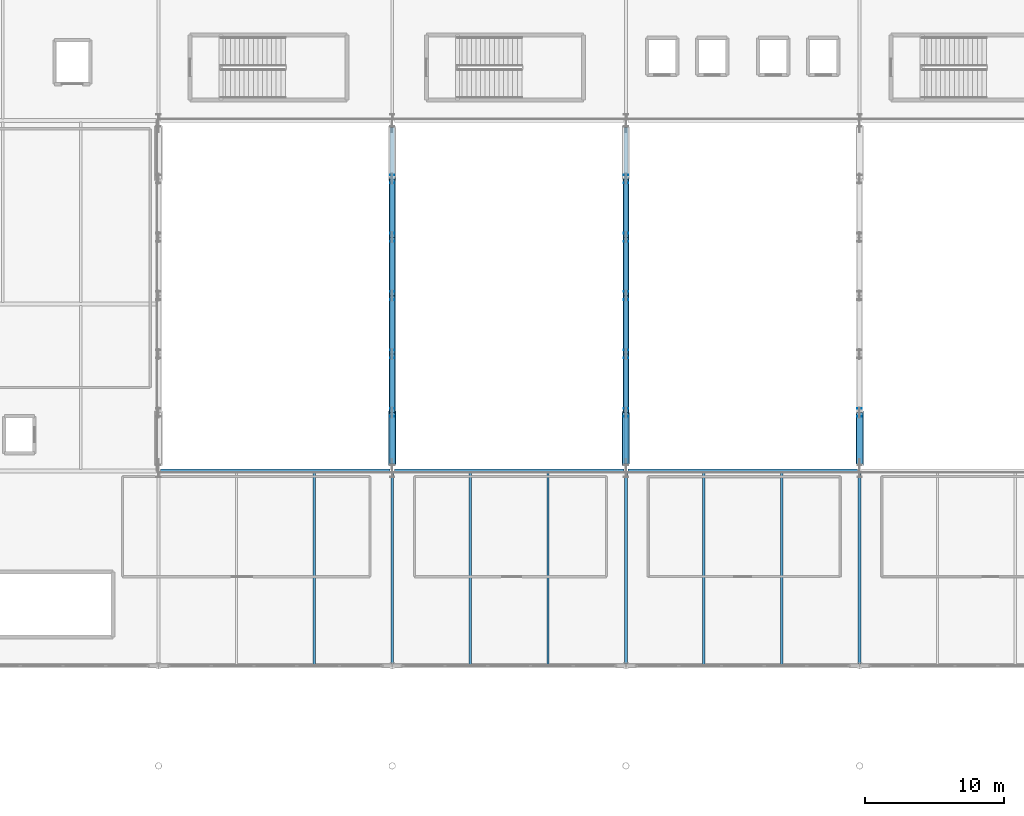
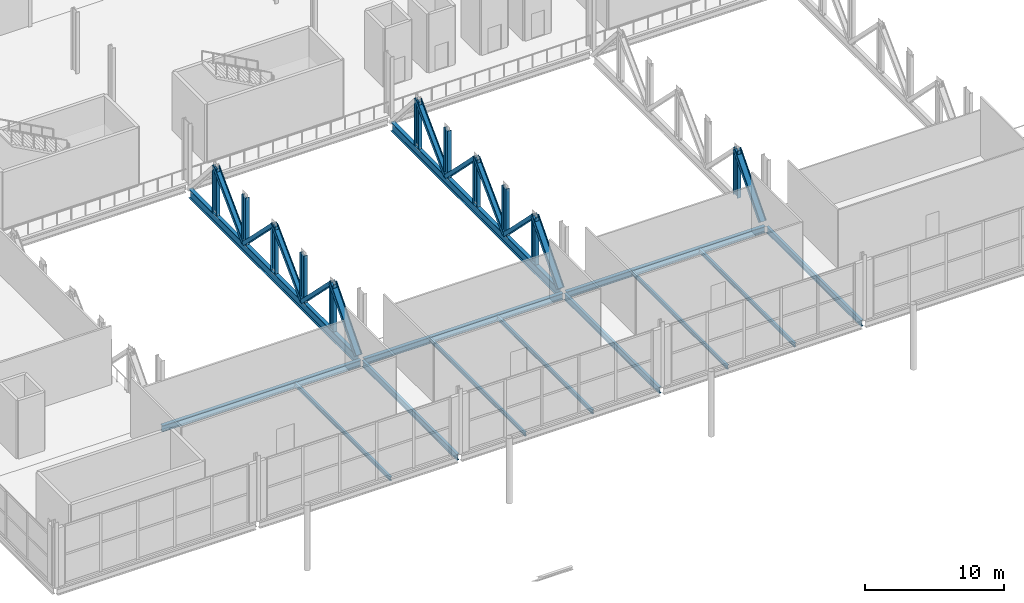
# One storey, part 24 of 84: 22 members, 13 beams.
"""IFC4 building model written with IfcOpenShell, lengths in metres."""

from ifc_helpers import new_model, si_unit, direction, frame, origin, origin_2d, place, context, subcontext, project, spatial, i_section, extrude, material, material_profile, profile_set, type_object, element, save


model = new_model("IFC4")

# Units and contexts
model_context = context("Model", 3, precision=1e-05, world=origin(), true_north=direction((0.0, 1.0)))
body_context = subcontext(model_context, "Body", "Model", "MODEL_VIEW")
ifc_project = project(units=[si_unit("LENGTHUNIT", "METRE"), si_unit("AREAUNIT", "SQUARE_METRE"), si_unit("VOLUMEUNIT", "CUBIC_METRE"), si_unit("PLANEANGLEUNIT", "RADIAN"), si_unit("MASSUNIT", "GRAM", prefix="KILO")], contexts=[model_context])

# Site, building, storey
site_placement = place(None, origin())
site = spatial("IfcSite", under=ifc_project, at=site_placement, CompositionType="ELEMENT")
building_placement = place(site_placement, origin())
building = spatial("IfcBuilding", under=site, at=building_placement, Name="Kimbaza Rail Terminus", CompositionType="ELEMENT")
storey_placement = place(building_placement, frame((0.0, 0.0, 5.39990234375)))
storey = spatial("IfcBuildingStorey", under=building, at=storey_placement, Name="L01", CompositionType="ELEMENT", Elevation=5.39990234375)

# Beams
ifc_material_1 = material(Name="Steel S355", Category="steel")
ifc_material_profile_1 = material_profile(ifc_material_1, i_section(OverallWidth=0.300048828125, OverallDepth=0.550048828125, WebThickness=0.014892578125, FlangeThickness=0.029052734375, FilletRadius=0.027099609375, at=origin_2d()), Name="HEB 550")
ifc_profile_set_1 = profile_set([ifc_material_profile_1], Name="Steel S355")
beam_type_1 = type_object("IfcBeamType", Name="STR-BM-HEB550", PredefinedType="BEAM", material=ifc_profile_set_1)
for number, where, z_axis, x_axis, name in (
    (1, (72.14599609375, 55.0, -0.494873046875), (1.0, 0.0, 0.0), (0.0, 1.0, 0.0), "Beam BM-V2X-L01-55-2"),
    (2, (88.946044921875, 55.0, -0.494873046875), (1.0, 0.0, 0.0), (0.0, 1.0, 0.0), "Beam BM-V2X-L01-55-3"),
):
    element("IfcBeam", number, at=place(storey_placement, frame(where, z_axis=z_axis, x_axis=x_axis)), inside=storey, type_object=beam_type_1, Name=name, PredefinedType="BEAM", context=body_context, shape_type="SweptSolid", body=[
        extrude(i_section(OverallWidth=0.300048828125, OverallDepth=0.550048828125, WebThickness=0.014892578125, FlangeThickness=0.029052734375, FilletRadius=0.027099609375, at=origin_2d()), origin(), (0.0, 0.0, 1.0), 16.508056640625),
    ])
beam_placement = place(storey_placement, frame((105.74609375, 55.0, -0.494873046875), z_axis=(1.0, 0.0, 0.0), x_axis=(0.0, 1.0, 0.0)))
element("IfcBeam", 3, at=beam_placement, inside=storey, type_object=beam_type_1, Name="Beam BM-V2X-L01-55-4", PredefinedType="BEAM", context=body_context, shape_type="SweptSolid", body=[
    extrude(i_section(OverallWidth=0.300048828125, OverallDepth=0.550048828125, WebThickness=0.014892578125, FlangeThickness=0.029052734375, FilletRadius=0.027099609375, at=origin_2d()), origin(), (0.0, 0.0, 1.0), 16.5078125),
])
ifc_material_2 = material(Name="Steel S355", Category="steel")
ifc_material_profile_2 = material_profile(ifc_material_2, i_section(OverallWidth=0.302978515625, OverallDepth=0.81396484375, WebThickness=0.02099609375, FlangeThickness=0.0400390625, FilletRadius=0.030029296875, at=origin_2d()), Name="HEM 800")
ifc_profile_set_2 = profile_set([ifc_material_profile_2], Name="Steel S355")
beam_type_2 = type_object("IfcBeamType", Name="STR-BM-HEM800", PredefinedType="USERDEFINED", material=ifc_profile_set_2)
for number, where, z_axis, x_axis, name in (
    (4, (88.800048828125, 55.498046875, -0.626953125), (0.0, 1.0, 0.0), (-1.0, 0.0, 0.0), "Warren Transfer Truss WT-02 Bottom Chord"),
    (5, (105.60009765625, 55.498046875, -0.626953125), (0.0, 1.0, 0.0), (-1.0, 0.0, 0.0), "Warren Transfer Truss WT-03 Bottom Chord"),
):
    element("IfcBeam", number, at=place(storey_placement, frame(where, z_axis=z_axis, x_axis=x_axis)), inside=storey, type_object=beam_type_2, Name=name, ObjectType="GIRDER", PredefinedType="USERDEFINED", context=body_context, shape_type="SweptSolid", body=[
        extrude(i_section(OverallWidth=0.302978515625, OverallDepth=0.81396484375, WebThickness=0.02099609375, FlangeThickness=0.0400390625, FilletRadius=0.030029296875, at=origin_2d()), origin(), (0.0, 0.0, 1.0), 24.203857421875),
    ])
ifc_material_3 = material(Name="Steel S355", Category="steel")
ifc_material_profile_3 = material_profile(ifc_material_3, i_section(OverallWidth=0.169921875, OverallDepth=0.360107421875, WebThickness=0.008056640625, FlangeThickness=0.0126953125, FilletRadius=0.01806640625, at=origin_2d()), Name="IPE 360")
ifc_profile_set_3 = profile_set([ifc_material_profile_3], Name="Steel S355")
beam_type_3 = type_object("IfcBeamType", Name="STR-BM-IPE360", PredefinedType="JOIST", material=ifc_profile_set_3)
for number, where, z_axis, x_axis, name in (
    (6, (83.199951171875, 41.10009765625, -0.39990234375), (0.0, 1.0, 0.0), (-1.0, 0.0, 0.0), "Beam JST-V2-L01-1-2-41"),
    (7, (94.39990234375, 41.10009765625, -0.39990234375), (0.0, 1.0, 0.0), (-1.0, 0.0, 0.0), "Beam JST-V2-L01-2-1-41"),
    (8, (100.0, 41.10009765625, -0.39990234375), (0.0, 1.0, 0.0), (-1.0, 0.0, 0.0), "Beam JST-V2-L01-2-2-41"),
    (9, (111.199951171875, 41.10009765625, -0.39990234375), (0.0, 1.0, 0.0), (-1.0, 0.0, 0.0), "Beam JST-V2-L01-3-1-41"),
    (10, (116.800048828125, 41.10009765625, -0.39990234375), (0.0, 1.0, 0.0), (-1.0, 0.0, 0.0), "Beam JST-V2-L01-3-2-41"),
):
    element("IfcBeam", number, at=place(storey_placement, frame(where, z_axis=z_axis, x_axis=x_axis)), inside=storey, type_object=beam_type_3, Name=name, PredefinedType="JOIST", context=body_context, shape_type="SweptSolid", body=[
        extrude(i_section(OverallWidth=0.169921875, OverallDepth=0.360107421875, WebThickness=0.008056640625, FlangeThickness=0.0126953125, FilletRadius=0.01806640625, at=origin_2d()), origin(), (0.0, 0.0, 1.0), 13.7998046875),
    ])
ifc_material_4 = material(Name="Steel S355", Category="steel")
ifc_material_profile_4 = material_profile(ifc_material_4, i_section(OverallWidth=0.2099609375, OverallDepth=0.550048828125, WebThickness=0.010986328125, FlangeThickness=0.01708984375, FilletRadius=0.02392578125, at=origin_2d()), Name="IPE 550")
ifc_profile_set_4 = profile_set([ifc_material_profile_4], Name="Steel S355")
beam_type_4 = type_object("IfcBeamType", Name="STR-BM-IPE550", PredefinedType="BEAM", material=ifc_profile_set_4)
for number, where, z_axis, x_axis, name in (
    (11, (88.800048828125, 41.175048828125, -0.494873046875), (0.0, 1.0, 0.0), (-1.0, 0.0, 0.0), "Beam BM-V2Y-L01-2-41"),
    (12, (105.60009765625, 41.175048828125, -0.494873046875), (0.0, 1.0, 0.0), (-1.0, 0.0, 0.0), "Beam BM-V2Y-L01-3-41"),
    (13, (122.39990234375, 41.175048828125, -0.494873046875), (0.0, 1.0, 0.0), (-1.0, 0.0, 0.0), "Beam BM-V2Y-L01-4-41"),
):
    element("IfcBeam", number, at=place(storey_placement, frame(where, z_axis=z_axis, x_axis=x_axis)), inside=storey, type_object=beam_type_4, Name=name, PredefinedType="BEAM", context=body_context, shape_type="SweptSolid", body=[
        extrude(i_section(OverallWidth=0.2099609375, OverallDepth=0.550048828125, WebThickness=0.010986328125, FlangeThickness=0.01708984375, FilletRadius=0.02392578125, at=origin_2d()), origin(), (0.0, 0.0, 1.0), 13.64990234375),
    ])

# Members
ifc_material_5 = material(Name="Steel S355", Category="steel")
ifc_material_profile_5 = material_profile(ifc_material_5, i_section(OverallWidth=0.300048828125, OverallDepth=0.449951171875, WebThickness=0.013916015625, FlangeThickness=0.02587890625, FilletRadius=0.027099609375, at=origin_2d()), Name="HEB 450")
ifc_profile_set_5 = profile_set([ifc_material_profile_5], Name="Steel S355")
member_type_1 = type_object("IfcMemberType", Name="STR-MB-HEB450", PredefinedType="BRACE", material=ifc_profile_set_5)
member_1_placement = place(storey_placement, frame((88.800048828125, 59.199951171875, 3.955078125), z_axis=(0.0, 0.706942385545, -0.707271138616), x_axis=(0.0, 0.707271138616, 0.706942385545)))
element("IfcMember", 14, at=member_1_placement, inside=storey, type_object=member_type_1, Name="Warren Transfer Truss Diagonal WT-02-2", PredefinedType="BRACE", context=body_context, shape_type="SweptSolid", body=[
    extrude(i_section(OverallWidth=0.300048828125, OverallDepth=0.449951171875, WebThickness=0.013916015625, FlangeThickness=0.02587890625, FilletRadius=0.027099609375, at=origin_2d()), origin(), (0.0, 0.0, 1.0), 5.94091796875),
])
member_2_placement = place(storey_placement, frame((88.800048828125, 63.39990234375, -0.246826171875), z_axis=(0.0, 0.706962941269, 0.70725059185), x_axis=(0.0, -0.70725059185, 0.706962941269)))
element("IfcMember", 15, at=member_2_placement, inside=storey, type_object=member_type_1, Name="Warren Transfer Truss Diagonal WT-02-3", PredefinedType="BRACE", context=body_context, shape_type="SweptSolid", body=[
    extrude(i_section(OverallWidth=0.300048828125, OverallDepth=0.449951171875, WebThickness=0.013916015625, FlangeThickness=0.02587890625, FilletRadius=0.027099609375, at=origin_2d()), origin(), (0.0, 0.0, 1.0), 5.941162109375),
])
for number, where, z_axis, x_axis, name in (
    (16, (88.800048828125, 67.60009765625, 3.955078125), (0.0, 0.706942385545, -0.707271138616), (0.0, 0.707271138616, 0.706942385545), "Warren Transfer Truss Diagonal WT-02-4"),
    (17, (88.800048828125, 71.800048828125, -0.246826171875), (0.0, 0.706942385545, 0.707271138616), (0.0, -0.707271138616, 0.706942385545), "Warren Transfer Truss Diagonal WT-02-5"),
    (18, (105.60009765625, 59.199951171875, 3.955078125), (0.0, 0.706942385545, -0.707271138616), (0.0, 0.707271138616, 0.706942385545), "Warren Transfer Truss Diagonal WT-03-2"),
):
    element("IfcMember", number, at=place(storey_placement, frame(where, z_axis=z_axis, x_axis=x_axis)), inside=storey, type_object=member_type_1, Name=name, PredefinedType="BRACE", context=body_context, shape_type="SweptSolid", body=[
        extrude(i_section(OverallWidth=0.300048828125, OverallDepth=0.449951171875, WebThickness=0.013916015625, FlangeThickness=0.02587890625, FilletRadius=0.027099609375, at=origin_2d()), origin(), (0.0, 0.0, 1.0), 5.94091796875),
    ])
member_3_placement = place(storey_placement, frame((105.60009765625, 63.39990234375, -0.246826171875), z_axis=(0.0, 0.706962941269, 0.70725059185), x_axis=(0.0, -0.70725059185, 0.706962941269)))
element("IfcMember", 19, at=member_3_placement, inside=storey, type_object=member_type_1, Name="Warren Transfer Truss Diagonal WT-03-3", PredefinedType="BRACE", context=body_context, shape_type="SweptSolid", body=[
    extrude(i_section(OverallWidth=0.300048828125, OverallDepth=0.449951171875, WebThickness=0.013916015625, FlangeThickness=0.02587890625, FilletRadius=0.027099609375, at=origin_2d()), origin(), (0.0, 0.0, 1.0), 5.941162109375),
])
for number, where, z_axis, x_axis, name in (
    (20, (105.60009765625, 67.60009765625, 3.955078125), (0.0, 0.706942385545, -0.707271138616), (0.0, 0.707271138616, 0.706942385545), "Warren Transfer Truss Diagonal WT-03-4"),
    (21, (105.60009765625, 71.800048828125, -0.246826171875), (0.0, 0.706942385545, 0.707271138616), (0.0, -0.707271138616, 0.706942385545), "Warren Transfer Truss Diagonal WT-03-5"),
):
    element("IfcMember", number, at=place(storey_placement, frame(where, z_axis=z_axis, x_axis=x_axis)), inside=storey, type_object=member_type_1, Name=name, PredefinedType="BRACE", context=body_context, shape_type="SweptSolid", body=[
        extrude(i_section(OverallWidth=0.300048828125, OverallDepth=0.449951171875, WebThickness=0.013916015625, FlangeThickness=0.02587890625, FilletRadius=0.027099609375, at=origin_2d()), origin(), (0.0, 0.0, 1.0), 5.94091796875),
    ])
ifc_material_6 = material(Name="Steel S355", Category="steel")
ifc_material_profile_6 = material_profile(ifc_material_6, i_section(OverallWidth=0.300048828125, OverallDepth=0.550048828125, WebThickness=0.014892578125, FlangeThickness=0.029052734375, FilletRadius=0.027099609375, at=origin_2d()), Name="HEB 550")
ifc_profile_set_6 = profile_set([ifc_material_profile_6], Name="Steel S355")
member_type_2 = type_object("IfcMemberType", Name="STR-MB-HEB550", PredefinedType="BRACE", material=ifc_profile_set_6)
for number, where, z_axis, x_axis, name in (
    (22, (88.800048828125, 55.5, -0.246826171875), (0.0, 0.660856906539, 0.750511924675), (0.0, -0.750511924675, 0.660856906539), "Warren Transfer Truss Diagonal WT-02-1"),
    (23, (105.60009765625, 55.5, -0.246826171875), (0.0, 0.660856906539, 0.750511924675), (0.0, -0.750511924675, 0.660856906539), "Warren Transfer Truss Diagonal WT-03-1"),
    (24, (122.39990234375, 55.5, -0.246826171875), (0.0, 0.660856906539, 0.750511924675), (0.0, -0.750511924675, 0.660856906539), "Warren Transfer Truss Diagonal WT-04-1"),
):
    element("IfcMember", number, at=place(storey_placement, frame(where, z_axis=z_axis, x_axis=x_axis)), inside=storey, type_object=member_type_2, Name=name, PredefinedType="BRACE", context=body_context, shape_type="SweptSolid", body=[
        extrude(i_section(OverallWidth=0.300048828125, OverallDepth=0.550048828125, WebThickness=0.014892578125, FlangeThickness=0.029052734375, FilletRadius=0.027099609375, at=origin_2d()), origin(), (0.0, 0.0, 1.0), 5.5986328125),
    ])
ifc_material_7 = material(Name="Steel S355", Category="steel")
ifc_material_profile_7 = material_profile(ifc_material_7, i_section(OverallWidth=0.304931640625, OverallDepth=0.6201171875, WebThickness=0.02099609375, FlangeThickness=0.0400390625, FilletRadius=0.027099609375, at=origin_2d()), Name="HEM 600")
ifc_profile_set_7 = profile_set([ifc_material_profile_7], Name="Steel S355")
member_type_3 = type_object("IfcMemberType", Name="STR-MB-HEM600", PredefinedType="POST", material=ifc_profile_set_7)
for number, where, z_axis, x_axis, name in (
    (25, (88.800048828125, 59.199951171875, -0.226806640625), (0.0, 0.0, 1.0), (1.0, 0.0, 0.0), "Warren Truss WT-02 Vertical Post 1"),
    (26, (88.800048828125, 63.39990234375, -0.226806640625), (0.0, 0.0, 1.0), (1.0, 0.0, 0.0), "Warren Truss WT-02 Vertical Post 2"),
    (27, (88.800048828125, 67.60009765625, -0.226806640625), (0.0, 0.0, 1.0), (1.0, 0.0, 0.0), "Warren Truss WT-02 Vertical Post 3"),
    (28, (88.800048828125, 71.800048828125, -0.226806640625), (0.0, 0.0, 1.0), (1.0, 0.0, 0.0), "Warren Truss WT-02 Vertical Post 4"),
    (29, (88.800048828125, 76.0, -0.226806640625), (0.0, 0.0, 1.0), (1.0, 0.0, 0.0), "Warren Truss WT-02 Vertical Post 5"),
    (30, (105.60009765625, 59.199951171875, -0.226806640625), (0.0, 0.0, 1.0), (1.0, 0.0, 0.0), "Warren Truss WT-03 Vertical Post 1"),
    (31, (105.60009765625, 63.39990234375, -0.226806640625), (0.0, 0.0, 1.0), (1.0, 0.0, 0.0), "Warren Truss WT-03 Vertical Post 2"),
    (32, (105.60009765625, 67.60009765625, -0.226806640625), (0.0, 0.0, 1.0), (1.0, 0.0, 0.0), "Warren Truss WT-03 Vertical Post 3"),
    (33, (105.60009765625, 71.800048828125, -0.226806640625), (0.0, 0.0, 1.0), (1.0, 0.0, 0.0), "Warren Truss WT-03 Vertical Post 4"),
    (34, (105.60009765625, 76.0, -0.226806640625), (0.0, 0.0, 1.0), (1.0, 0.0, 0.0), "Warren Truss WT-03 Vertical Post 5"),
    (35, (122.39990234375, 59.199951171875, -0.226806640625), (0.0, 0.0, 1.0), (1.0, 0.0, 0.0), "Warren Truss WT-04 Vertical Post 1"),
):
    element("IfcMember", number, at=place(storey_placement, frame(where, z_axis=z_axis, x_axis=x_axis)), inside=storey, type_object=member_type_3, Name=name, PredefinedType="POST", context=body_context, shape_type="SweptSolid", body=[
        extrude(i_section(OverallWidth=0.304931640625, OverallDepth=0.6201171875, WebThickness=0.02099609375, FlangeThickness=0.0400390625, FilletRadius=0.027099609375, at=origin_2d()), origin(), (0.0, 0.0, 1.0), 4.15185546875),
    ])

save(model, "model.ifc")
